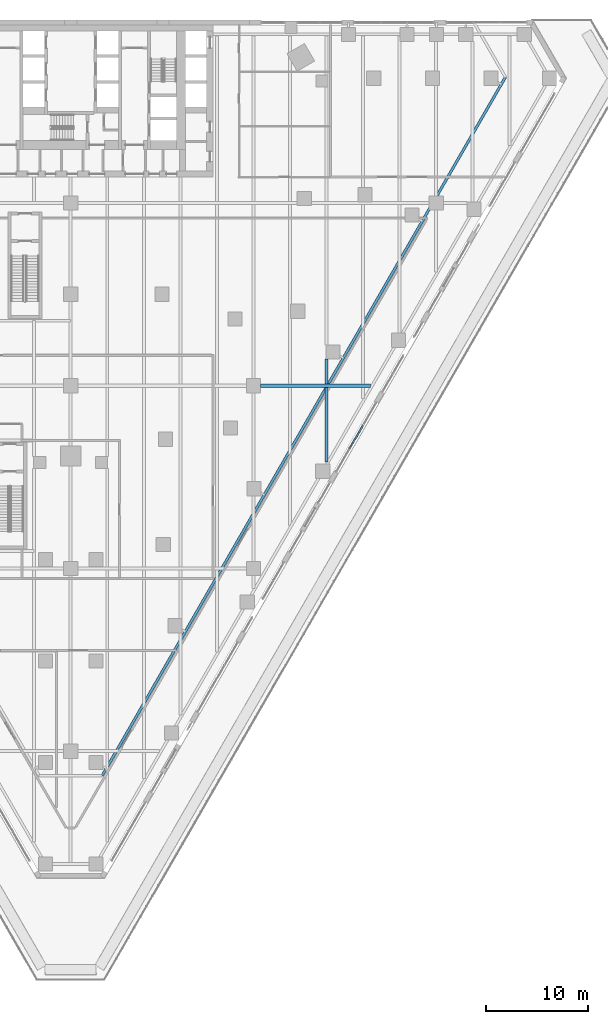
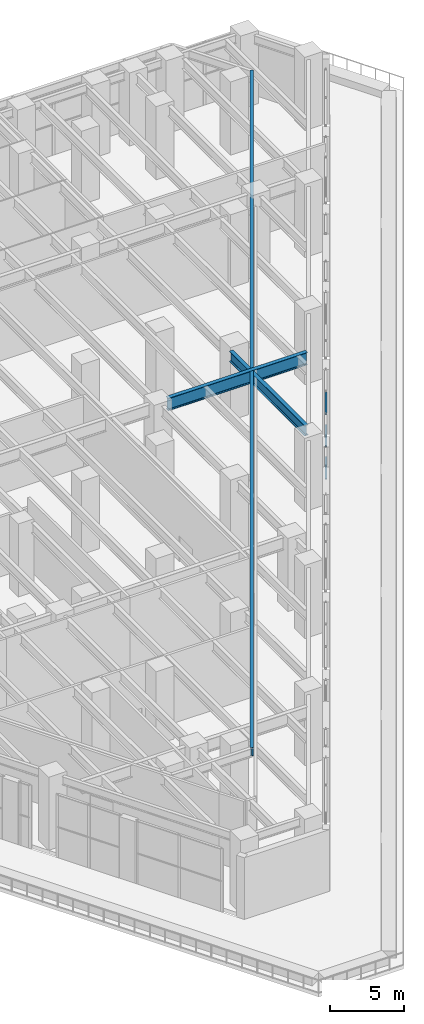
# One storey, part 9 of 40: 4 beams, 3 members, 1 element without a shape of its own.
"""IFC4 building model written with IfcOpenShell, lengths in metres."""

from ifc_helpers import new_model, si_unit, direction, frame, origin, origin_2d, place, context, subcontext, project, spatial, rectangle, i_section, extrude, material, material_profile, profile_set, type_object, element, aggregate, save


model = new_model("IFC4")

# Units and contexts
model_context = context("Model", 3, precision=1e-05, world=origin(), true_north=direction((0.0, 1.0)))
body_context = subcontext(model_context, "Body", "Model", "MODEL_VIEW")
ifc_project = project(units=[si_unit("LENGTHUNIT", "METRE"), si_unit("AREAUNIT", "SQUARE_METRE"), si_unit("VOLUMEUNIT", "CUBIC_METRE"), si_unit("PLANEANGLEUNIT", "RADIAN"), si_unit("MASSUNIT", "GRAM", prefix="KILO")], contexts=[model_context])

# Site, building, storey
site_placement = place(None, origin())
site = spatial("IfcSite", under=ifc_project, at=site_placement, CompositionType="ELEMENT")
building_placement = place(site_placement, origin())
building = spatial("IfcBuilding", under=site, at=building_placement, Name="Aloe Facet Convention Tower", CompositionType="ELEMENT")
storey_placement = place(building_placement, frame((0.0, 0.0, 13.5)))
storey = spatial("IfcBuildingStorey", under=building, at=storey_placement, Name="L02", CompositionType="ELEMENT", Elevation=13.5)

# Beam
ifc_material_1 = material(Name="Steel S355", Category="steel")
ifc_material_profile_1 = material_profile(ifc_material_1, i_section(OverallWidth=0.25439453125, OverallDepth=0.6875, WebThickness=0.01318359375, FlangeThickness=0.02099609375, FilletRadius=0.01513671875, at=origin_2d()), Name="UB 686x254x152")
ifc_profile_set_1 = profile_set([ifc_material_profile_1], Name="Steel S355")
beam_type_1 = type_object("IfcBeamType", Name="EV-EB-UB686x254x152", PredefinedType="BEAM", material=ifc_profile_set_1)
beam_1_placement = place(storey_placement, frame((83.10498046875, 60.598876953125, 5.40625), z_axis=(0.500002313088, 0.866024068318, 0.0), x_axis=(-0.866024068318, 0.500002313088, 0.0)))
element("IfcBeam", 1, at=beam_1_placement, inside=storey, type_object=beam_type_1, Name="EB-L03-E", PredefinedType="BEAM", context=body_context, shape_type="SweptSolid", body=[
    extrude(i_section(OverallWidth=0.25439453125, OverallDepth=0.6875, WebThickness=0.01318359375, FlangeThickness=0.02099609375, FilletRadius=0.01513671875, at=origin_2d()), origin(), (0.0, 0.0, 1.0), 79.44091796875),
])

# Curtain wall, members
ifc_material_2 = material(Name="Aluminium, anodised", Category="aluminium")
curtain_wall_type = type_object("IfcCurtainWallType", Name="EV-CW-HALL", PredefinedType="USERDEFINED", material=ifc_material_2)
curtain_wall_placement = place(storey_placement, origin())
curtain_wall = element("IfcCurtainWall", 2, at=curtain_wall_placement, inside=storey, type_object=curtain_wall_type, Name="CW-L02-E12", ObjectType="UNITISED HALL GLAZING", PredefinedType="USERDEFINED")
ifc_material_3 = material(Name="Aluminium, anodised", Category="aluminium")
ifc_material_profile_2 = material_profile(ifc_material_3, rectangle(XDim=0.159912109375, YDim=0.06494140625, at=origin_2d()), Name="AL 160x65")
ifc_profile_set_2 = profile_set([ifc_material_profile_2], Name="Aluminium, anodised")
member_type = type_object("IfcMemberType", Name="EV-TRAN-HALL", PredefinedType="USERDEFINED", material=ifc_profile_set_2)
member_1_placement = place(storey_placement, frame((107.48486328125, 92.82568359375, -0.267578125), z_axis=(0.499994038704, 0.866028845513, 0.0), x_axis=(-0.866028845513, 0.499994038704, 0.0)))
member_1 = element("IfcMember", 3, at=member_1_placement, type_object=member_type, Name="CW-L02-E12 transom 2.1", ObjectType="TRANSOM", PredefinedType="USERDEFINED", context=body_context, shape_type="SweptSolid", body=[
    extrude(rectangle(XDim=0.159912109375, YDim=0.06494140625, at=origin_2d()), origin(), (0.0, 0.0, 1.0), 2.56787109375),
])
member_2_placement = place(storey_placement, frame((107.48486328125, 92.82568359375, 2.38134765625), z_axis=(0.499994038704, 0.866028845513, 0.0), x_axis=(-0.866028845513, 0.499994038704, 0.0)))
member_2 = element("IfcMember", 4, at=member_2_placement, type_object=member_type, Name="CW-L02-E12 transom 2.2", ObjectType="TRANSOM", PredefinedType="USERDEFINED", context=body_context, shape_type="SweptSolid", body=[
    extrude(rectangle(XDim=0.159912109375, YDim=0.06494140625, at=origin_2d()), origin(), (0.0, 0.0, 1.0), 2.56787109375),
])
member_3_placement = place(storey_placement, frame((107.48486328125, 92.82568359375, 5.030029296875), z_axis=(0.499994038704, 0.866028845513, 0.0), x_axis=(-0.866028845513, 0.499994038704, 0.0)))
member_3 = element("IfcMember", 5, at=member_3_placement, type_object=member_type, Name="CW-L02-E12 transom 2.3", ObjectType="TRANSOM", PredefinedType="USERDEFINED", context=body_context, shape_type="SweptSolid", body=[
    extrude(rectangle(XDim=0.159912109375, YDim=0.06494140625, at=origin_2d()), origin(), (0.0, 0.0, 1.0), 2.56787109375),
])
aggregate(curtain_wall, [member_1, member_2, member_3])

# Beams
ifc_material_4 = material(Name="Steel S355", Category="steel")
ifc_material_profile_3 = material_profile(ifc_material_4, i_section(OverallWidth=0.305419921875, OverallDepth=1.02587890625, WebThickness=0.02001953125, FlangeThickness=0.031005859375, FilletRadius=0.030029296875, at=origin_2d()), Name="UB 1016x305x349")
ifc_profile_set_3 = profile_set([ifc_material_profile_3], Name="Steel S355")
beam_type_2 = type_object("IfcBeamType", Name="SF-B-UB1016x305x349", PredefinedType="BEAM", material=ifc_profile_set_3)
beam_2_placement = place(storey_placement, frame((98.699951171875, 99.0, 5.237060546875), z_axis=(1.0, 0.0, 0.0), x_axis=(0.0, 1.0, 0.0)))
element("IfcBeam", 6, at=beam_2_placement, inside=storey, type_object=beam_type_2, Name="Floor beam FB-L03-037", PredefinedType="BEAM", context=body_context, shape_type="SweptSolid", body=[
    extrude(i_section(OverallWidth=0.305419921875, OverallDepth=1.02587890625, WebThickness=0.02001953125, FlangeThickness=0.031005859375, FilletRadius=0.030029296875, at=origin_2d()), origin(), (0.0, 0.0, 1.0), 10.8359375),
])
ifc_material_5 = material(Name="Steel S355", Category="steel")
ifc_material_profile_4 = material_profile(ifc_material_5, i_section(OverallWidth=0.293701171875, OverallDepth=0.850830078125, WebThickness=0.01611328125, FlangeThickness=0.02685546875, FilletRadius=0.017822265625, at=origin_2d()), Name="UB 838x292x226")
ifc_profile_set_4 = profile_set([ifc_material_profile_4], Name="Steel S355")
beam_type_3 = type_object("IfcBeamType", Name="SF-B-UB838x292x226", PredefinedType="BEAM", material=ifc_profile_set_4)
beam_3_placement = place(storey_placement, frame((105.199951171875, 91.482666015625, 5.324462890625), z_axis=(0.0, 1.0, 0.0), x_axis=(-1.0, 0.0, 0.0)))
element("IfcBeam", 7, at=beam_3_placement, inside=storey, type_object=beam_type_3, Name="Floor beam FB-L03-121", PredefinedType="BEAM", context=body_context, shape_type="SweptSolid", body=[
    extrude(i_section(OverallWidth=0.293701171875, OverallDepth=0.850830078125, WebThickness=0.01611328125, FlangeThickness=0.02685546875, FilletRadius=0.017822265625, at=origin_2d()), origin(), (0.0, 0.0, 1.0), 7.36474609375),
])
beam_4_placement = place(storey_placement, frame((105.199951171875, 99.152587890625, 5.324462890625), z_axis=(0.0, 1.0, 0.0), x_axis=(-1.0, 0.0, 0.0)))
element("IfcBeam", 8, at=beam_4_placement, inside=storey, type_object=beam_type_3, Name="Floor beam FB-L03-122", PredefinedType="BEAM", context=body_context, shape_type="SweptSolid", body=[
    extrude(i_section(OverallWidth=0.293701171875, OverallDepth=0.850830078125, WebThickness=0.01611328125, FlangeThickness=0.02685546875, FilletRadius=0.017822265625, at=origin_2d()), origin(), (0.0, 0.0, 1.0), 2.472412109375),
])

save(model, "model.ifc")
